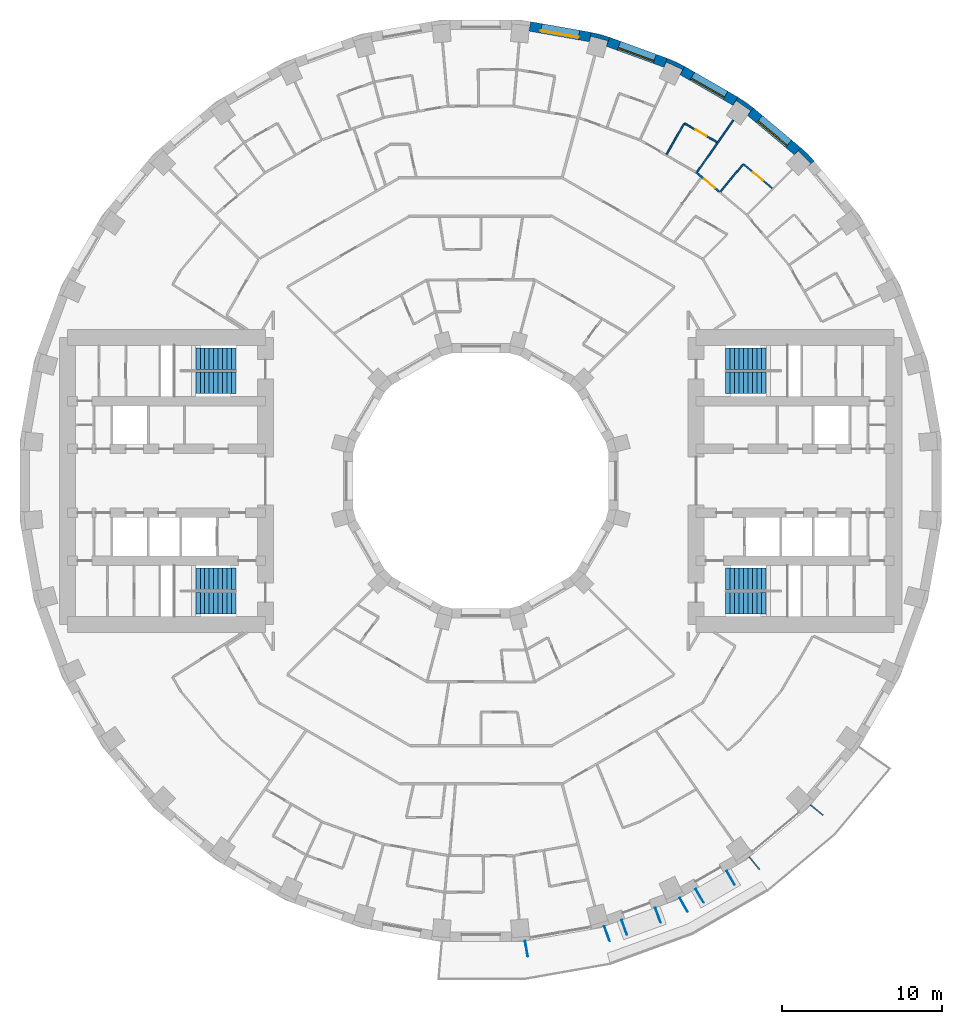
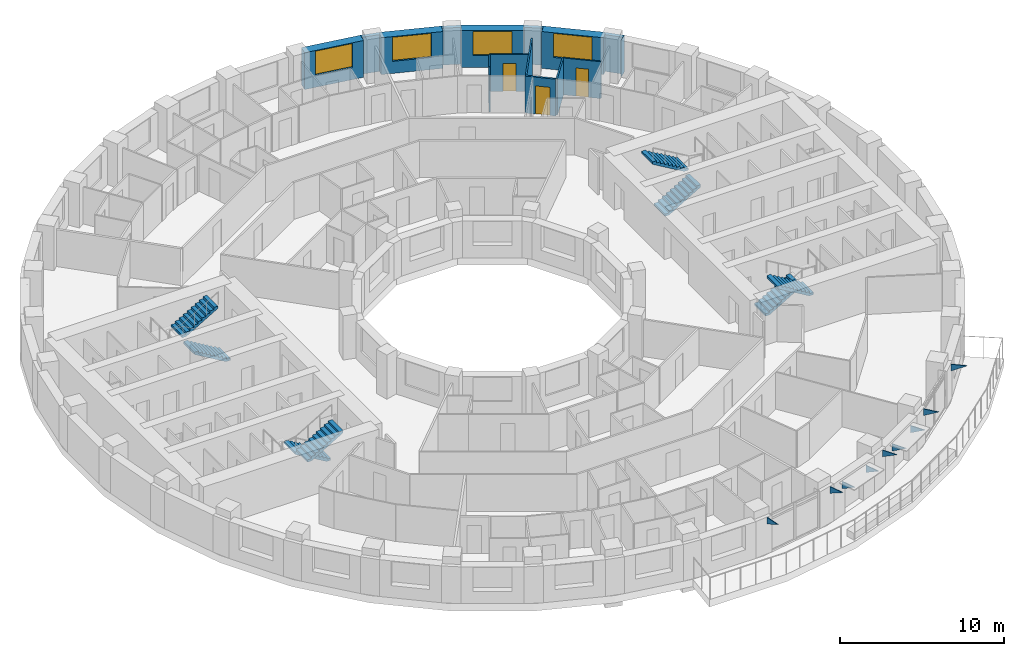
# One storey, part 15 of 16: 14 walls, 9 discrete accessories, 8 stair flights, 4 windows, 3 doors, 7 openings, 4 elements without a shape of their own.
"""IFC4 building model written with IfcOpenShell, lengths in metres."""

from ifc_helpers import new_model, si_unit, direction, frame, frame_2d, origin, place, context, subcontext, project, spatial, polyline, rectangle, outline, extrude, material, layer, layer_set, type_object, element, fill, aggregate, save


model = new_model("IFC4")

# Units and contexts
model_context = context("Model", 3, precision=1e-05, world=origin(), true_north=direction((0.0, 1.0)))
body_context = subcontext(model_context, "Body", "Model", "MODEL_VIEW")
ifc_project = project(units=[si_unit("LENGTHUNIT", "METRE"), si_unit("AREAUNIT", "SQUARE_METRE"), si_unit("VOLUMEUNIT", "CUBIC_METRE"), si_unit("PLANEANGLEUNIT", "RADIAN"), si_unit("MASSUNIT", "GRAM", prefix="KILO")], contexts=[model_context])

# Site, building, storey
site_placement = place(None, origin())
site = spatial("IfcSite", under=ifc_project, at=site_placement, CompositionType="ELEMENT")
building_placement = place(site_placement, origin())
building = spatial("IfcBuilding", under=site, at=building_placement, Name="Saqina Gate Tower", CompositionType="ELEMENT")
storey_placement = place(building_placement, frame((0.0, 0.0, 26.300048828125)))
storey = spatial("IfcBuildingStorey", under=building, at=storey_placement, Name="L06", CompositionType="ELEMENT", Elevation=26.300048828125)

# Walls
ifc_material_1 = material(Name="Brick masonry (red)", Category="masonry")
wall_type_1 = type_object("IfcWallType", Name="BRICK PIER COPING RED", PredefinedType="SOLIDWALL", material=ifc_material_1)
wall_1_placement = place(storey_placement, origin())
element("IfcWall", 1, at=wall_1_placement, inside=storey, type_object=wall_type_1, Name="Pier cap L06 column 5", PredefinedType="SOLIDWALL", context=body_context, shape_type="SweptSolid", body=[
    extrude(outline(polyline([(20.04296875, 20.894775390625), (19.6572265625, 20.43505859375), (19.905029296875, 20.682861328125), (20.682861328125, 19.905029296875), (20.43505859375, 19.6572265625), (20.894775390625, 20.04296875), (20.04296875, 20.894775390625)])), origin(), (0.0, 0.0, 1.0), 2.75),
])
wall_2_placement = place(storey_placement, origin())
element("IfcWall", 2, at=wall_2_placement, inside=storey, type_object=wall_type_1, Name="Pier cap L06 column 6", PredefinedType="SOLIDWALL", context=body_context, shape_type="SweptSolid", body=[
    extrude(outline(polyline([(17.096923828125, 23.36669921875), (16.110107421875, 24.0576171875), (15.81005859375, 23.5380859375), (16.010986328125, 23.8251953125), (16.912109375, 23.194091796875), (16.711181640625, 22.9072265625), (17.096923828125, 23.36669921875)])), origin(), (0.0, 0.0, 1.0), 2.75),
])
wall_3_placement = place(storey_placement, origin())
element("IfcWall", 3, at=wall_3_placement, inside=storey, type_object=wall_type_1, Name="Pier cap L06 column 7", PredefinedType="SOLIDWALL", context=body_context, shape_type="SweptSolid", body=[
    extrude(outline(polyline([(11.687744140625, 26.48974609375), (11.482666015625, 25.92578125), (11.630615234375, 26.243408203125), (12.627685546875, 25.778564453125), (12.4794921875, 25.4609375), (12.779541015625, 25.980712890625), (11.687744140625, 26.48974609375)])), origin(), (0.0, 0.0, 1.0), 2.75),
])
wall_4_placement = place(storey_placement, origin())
element("IfcWall", 4, at=wall_4_placement, inside=storey, type_object=wall_type_1, Name="Pier cap L06 column 8", PredefinedType="SOLIDWALL", context=body_context, shape_type="SweptSolid", body=[
    extrude(outline(polyline([(6.910400390625, 28.11669921875), (6.80615234375, 27.52587890625), (6.896728515625, 27.864501953125), (7.95947265625, 27.57958984375), (7.86865234375, 27.2412109375), (8.073974609375, 27.80517578125), (6.910400390625, 28.11669921875)])), origin(), (0.0, 0.0, 1.0), 2.75),
])

# Wall, opening, window
ifc_material_2 = material(Name="Brick masonry (red)", Category="masonry")
ifc_layer_1 = layer(ifc_material_2, 0.60009765625)
ifc_layer_set_1 = layer_set([ifc_layer_1], Name="FW-BRICK-RED")
wall_type_2 = type_object("IfcWallType", Name="FW-BRICK-RED", PredefinedType="SOLIDWALL", material=ifc_layer_set_1)
wall_5_placement = place(storey_placement, frame((19.85009765625, 20.664794921875, 0.0), z_axis=(0.0, 0.0, 1.0), x_axis=(-0.766026164483, 0.642809392687, 0.0)))
wall_5 = element("IfcWall", 5, at=wall_5_placement, inside=storey, type_object=wall_type_2, Name="Facade wall L06 facet 5", PredefinedType="SOLIDWALL", context=body_context, shape_type="SweptSolid", body=[
    extrude(rectangle(XDim=3.845947265625, YDim=0.60009765625, at=frame_2d((1.9228515625, 0.0))), origin(), (0.0, 0.0, 1.0), 2.75),
])
opening_1_placement = place(wall_5_placement, frame((0.722900390625, 0.0, 0.89990234375)))
opening_1 = element("IfcOpeningElement", 6, at=opening_1_placement, cuts=wall_5, Name="Opening G01-W03", PredefinedType="OPENING", context=body_context, shape_type="SweptSolid", body=[
    extrude(rectangle(XDim=2.39990234375, YDim=1.800048828125, at=frame_2d((1.199951171875, 0.89990234375))), frame((0.0, 0.31201171875, 0.0), z_axis=(0.0, -1.0, 0.0), x_axis=(1.0, 0.0, 0.0)), (0.0, 0.0, 1.0), 0.6240234375),
])
ifc_material_3 = material(Name="Aluminium glazing", Category="aluminium")
window_type = type_object("IfcWindowType", Name="WN-A", PartitioningType="SINGLE_PANEL", PredefinedType="WINDOW", material=ifc_material_3)
window_1_placement = place(opening_1_placement, origin())
window_1 = element("IfcWindow", 7, at=window_1_placement, inside=storey, type_object=window_type, Name="Window L06 facet 5", OverallHeight=1.800048828125, OverallWidth=2.39990234375, PartitioningType="SINGLE_PANEL", PredefinedType="WINDOW", context=body_context, shape_type="SweptSolid", body=[
    extrude(rectangle(XDim=2.39990234375, YDim=1.800048828125, at=frame_2d((1.199951171875, 0.89990234375))), frame((0.0, 0.179931640625, 0.0), z_axis=(0.0, -1.0, 0.0), x_axis=(1.0, 0.0, 0.0)), (0.0, 0.0, 1.0), 0.06005859375),
])
fill(opening_1, window_1)

wall_6_placement = place(storey_placement, frame((15.960205078125, 23.7978515625, 0.0), z_axis=(0.0, 0.0, 1.0), x_axis=(-0.86603124159, 0.499989888488, 0.0)))
wall_6 = element("IfcWall", 8, at=wall_6_placement, inside=storey, type_object=wall_type_2, Name="Facade wall L06 facet 6", PredefinedType="SOLIDWALL", context=body_context, shape_type="SweptSolid", body=[
    extrude(rectangle(XDim=3.845703125, YDim=0.60009765625, at=frame_2d((1.9228515625, 0.0))), origin(), (0.0, 0.0, 1.0), 2.75),
])
opening_2_placement = place(wall_6_placement, frame((0.722900390625, 0.0, 0.89990234375)))
opening_2 = element("IfcOpeningElement", 9, at=opening_2_placement, cuts=wall_6, Name="Opening G01-W04", PredefinedType="OPENING", context=body_context, shape_type="SweptSolid", body=[
    extrude(rectangle(XDim=2.39990234375, YDim=1.800048828125, at=frame_2d((1.199951171875, 0.89990234375))), frame((0.0, 0.31201171875, 0.0), z_axis=(0.0, -1.0, 0.0), x_axis=(1.0, 0.0, 0.0)), (0.0, 0.0, 1.0), 0.6240234375),
])
window_2_placement = place(opening_2_placement, origin())
window_2 = element("IfcWindow", 10, at=window_2_placement, inside=storey, type_object=window_type, Name="Window L06 facet 6", OverallHeight=1.800048828125, OverallWidth=2.39990234375, PartitioningType="SINGLE_PANEL", PredefinedType="WINDOW", context=body_context, shape_type="SweptSolid", body=[
    extrude(rectangle(XDim=2.39990234375, YDim=1.800048828125, at=frame_2d((1.199951171875, 0.89990234375))), frame((0.0, 0.179931640625, 0.0), z_axis=(0.0, -1.0, 0.0), x_axis=(1.0, 0.0, 0.0)), (0.0, 0.0, 1.0), 0.06005859375),
])
fill(opening_2, window_2)

wall_7_placement = place(storey_placement, frame((11.585205078125, 26.207763671875, 0.0), z_axis=(0.0, 0.0, 1.0), x_axis=(-0.939689588564, 0.342028474173, 0.0)))
wall_7 = element("IfcWall", 11, at=wall_7_placement, inside=storey, type_object=wall_type_2, Name="Facade wall L06 facet 7", PredefinedType="SOLIDWALL", context=body_context, shape_type="SweptSolid", body=[
    extrude(rectangle(XDim=3.845947265625, YDim=0.60009765625, at=frame_2d((1.9228515625, 0.0))), origin(), (0.0, 0.0, 1.0), 2.75),
])
opening_3_placement = place(wall_7_placement, frame((0.722900390625, 0.0, 0.89990234375)))
opening_3 = element("IfcOpeningElement", 12, at=opening_3_placement, cuts=wall_7, Name="Opening G01-W05", PredefinedType="OPENING", context=body_context, shape_type="SweptSolid", body=[
    extrude(rectangle(XDim=2.39990234375, YDim=1.800048828125, at=frame_2d((1.199951171875, 0.89990234375))), frame((0.0, 0.31201171875, 0.0), z_axis=(0.0, -1.0, 0.0), x_axis=(1.0, 0.0, 0.0)), (0.0, 0.0, 1.0), 0.6240234375),
])
window_3_placement = place(opening_3_placement, origin())
window_3 = element("IfcWindow", 13, at=window_3_placement, inside=storey, type_object=window_type, Name="Window L06 facet 7", OverallHeight=1.800048828125, OverallWidth=2.39990234375, PartitioningType="SINGLE_PANEL", PredefinedType="WINDOW", context=body_context, shape_type="SweptSolid", body=[
    extrude(rectangle(XDim=2.39990234375, YDim=1.800048828125, at=frame_2d((1.199951171875, 0.89990234375))), frame((0.0, 0.179931640625, 0.0), z_axis=(0.0, -1.0, 0.0), x_axis=(1.0, 0.0, 0.0)), (0.0, 0.0, 1.0), 0.06005859375),
])
fill(opening_3, window_3)

wall_8_placement = place(storey_placement, frame((6.858154296875, 27.8212890625, 0.0), z_axis=(0.0, 0.0, 1.0), x_axis=(-0.984800809218, 0.173687553279, 0.0)))
wall_8 = element("IfcWall", 14, at=wall_8_placement, inside=storey, type_object=wall_type_2, Name="Facade wall L06 facet 8", PredefinedType="SOLIDWALL", context=body_context, shape_type="SweptSolid", body=[
    extrude(rectangle(XDim=3.845703125, YDim=0.60009765625, at=frame_2d((1.9228515625, 0.0))), origin(), (0.0, 0.0, 1.0), 2.75),
])
opening_4_placement = place(wall_8_placement, frame((0.722900390625, 0.0, 0.89990234375)))
opening_4 = element("IfcOpeningElement", 15, at=opening_4_placement, cuts=wall_8, Name="Opening G01-W06", PredefinedType="OPENING", context=body_context, shape_type="SweptSolid", body=[
    extrude(rectangle(XDim=2.39990234375, YDim=1.800048828125, at=frame_2d((1.199951171875, 0.89990234375))), frame((0.0, 0.31201171875, 0.0), z_axis=(0.0, -1.0, 0.0), x_axis=(1.0, 0.0, 0.0)), (0.0, 0.0, 1.0), 0.6240234375),
])
window_4_placement = place(opening_4_placement, origin())
window_4 = element("IfcWindow", 16, at=window_4_placement, inside=storey, type_object=window_type, Name="Window L06 facet 8", OverallHeight=1.800048828125, OverallWidth=2.39990234375, PartitioningType="SINGLE_PANEL", PredefinedType="WINDOW", context=body_context, shape_type="SweptSolid", body=[
    extrude(rectangle(XDim=2.39990234375, YDim=1.800048828125, at=frame_2d((1.199951171875, 0.89990234375))), frame((0.0, 0.179931640625, 0.0), z_axis=(0.0, -1.0, 0.0), x_axis=(1.0, 0.0, 0.0)), (0.0, 0.0, 1.0), 0.06005859375),
])
fill(opening_4, window_4)

# Wall, opening, door
ifc_material_4 = material(Name="Gypsum board on steel studs, 100 mm", Category="steel")
ifc_layer_2 = layer(ifc_material_4, 0.10009765625)
ifc_layer_set_2 = layer_set([ifc_layer_2], Name="PARTITION 100")
wall_type_3 = type_object("IfcWallType", Name="PARTITION 100", PredefinedType="PARTITIONING", material=ifc_layer_set_2)
wall_9_placement = place(storey_placement, frame((16.450927734375, 19.862060546875, 0.0), z_axis=(0.0, 0.0, 1.0), x_axis=(0.766132669123, -0.642682451373, 0.0)))
wall_9 = element("IfcWall", 17, at=wall_9_placement, inside=storey, type_object=wall_type_3, Name="PARTITION PW3-35", PredefinedType="PARTITIONING", context=body_context, shape_type="SweptSolid", body=[
    extrude(rectangle(XDim=2.37109375, YDim=0.10009765625, at=frame_2d((1.185546875, 0.0))), origin(), (0.0, 0.0, 1.0), 2.75),
])
opening_5_placement = place(wall_9_placement, frame((0.810546875, 0.0, 0.0)))
opening_5 = element("IfcOpeningElement", 18, at=opening_5_placement, cuts=wall_9, Name="Opening G01-D05", PredefinedType="OPENING", context=body_context, shape_type="SweptSolid", body=[
    extrude(rectangle(XDim=0.800048828125, YDim=2.10009765625, at=frame_2d((0.39990234375, 1.050048828125))), frame((0.0, 0.06201171875, 0.0), z_axis=(0.0, -1.0, 0.0), x_axis=(1.0, 0.0, 0.0)), (0.0, 0.0, 1.0), 0.1240234375),
])
ifc_material_5 = material(Name="Timber door leaf, 800 mm", Category="wood")
door_type_1 = type_object("IfcDoorType", Name="DOOR 800 TIMBER", OperationType="SINGLE_SWING_LEFT", PredefinedType="DOOR", material=ifc_material_5)
door_1_placement = place(opening_5_placement, origin())
door_1 = element("IfcDoor", 19, at=door_1_placement, inside=storey, type_object=door_type_1, Name="DOOR G01-D05", OperationType="SINGLE_SWING_RIGHT", OverallHeight=2.10009765625, OverallWidth=0.800048828125, PredefinedType="DOOR", context=body_context, shape_type="SweptSolid", body=[
    extrude(rectangle(XDim=0.800048828125, YDim=2.10009765625, at=frame_2d((0.39990234375, 1.050048828125))), frame((0.0, 0.02490234375, 0.0), z_axis=(0.0, -1.0, 0.0), x_axis=(1.0, 0.0, 0.0)), (0.0, 0.0, 1.0), 0.050048828125),
])
fill(opening_5, door_1)

wall_10_placement = place(storey_placement, frame((12.751953125, 22.4169921875, 0.0), z_axis=(0.0, 0.0, 1.0), x_axis=(0.865984969814, -0.500070027153, 0.0)))
wall_10 = element("IfcWall", 20, at=wall_10_placement, inside=storey, type_object=wall_type_3, Name="PARTITION PW3-45", PredefinedType="PARTITIONING", context=body_context, shape_type="SweptSolid", body=[
    extrude(rectangle(XDim=2.371337890625, YDim=0.10009765625, at=frame_2d((1.185546875, 0.0))), origin(), (0.0, 0.0, 1.0), 2.75),
])
opening_6_placement = place(wall_10_placement, frame((0.810791015625, 0.0, 0.0)))
opening_6 = element("IfcOpeningElement", 21, at=opening_6_placement, cuts=wall_10, Name="Opening G01-D10", PredefinedType="OPENING", context=body_context, shape_type="SweptSolid", body=[
    extrude(rectangle(XDim=0.800048828125, YDim=2.10009765625, at=frame_2d((0.39990234375, 1.050048828125))), frame((0.0, 0.06201171875, 0.0), z_axis=(0.0, -1.0, 0.0), x_axis=(1.0, 0.0, 0.0)), (0.0, 0.0, 1.0), 0.1240234375),
])
door_2_placement = place(opening_6_placement, origin())
door_2 = element("IfcDoor", 22, at=door_2_placement, inside=storey, type_object=door_type_1, Name="DOOR G01-D10", OperationType="SINGLE_SWING_RIGHT", OverallHeight=2.10009765625, OverallWidth=0.800048828125, PredefinedType="DOOR", context=body_context, shape_type="SweptSolid", body=[
    extrude(rectangle(XDim=0.800048828125, YDim=2.10009765625, at=frame_2d((0.39990234375, 1.050048828125))), frame((0.0, 0.02490234375, 0.0), z_axis=(0.0, -1.0, 0.0), x_axis=(1.0, 0.0, 0.0)), (0.0, 0.0, 1.0), 0.050048828125),
])
fill(opening_6, door_2)

# Walls
wall_11_placement = place(storey_placement, frame((15.015869140625, 18.12939453125, 0.0), z_axis=(0.0, 0.0, 1.0), x_axis=(0.63792197303, 0.770101003976, 0.0)))
element("IfcWall", 23, at=wall_11_placement, inside=storey, type_object=wall_type_3, Name="PARTITION PW3-94", PredefinedType="PARTITIONING", context=body_context, shape_type="SweptSolid", body=[
    extrude(rectangle(XDim=2.199951171875, YDim=0.10009765625, at=frame_2d((1.10009765625, 0.0))), origin(), (0.0, 0.0, 1.0), 2.75),
])
wall_12_placement = place(storey_placement, frame((13.561279296875, 19.365966796875, 0.0), z_axis=(0.0, 0.0, 1.0), x_axis=(0.573366885016, 0.819298733776, 0.0)))
element("IfcWall", 24, at=wall_12_placement, inside=storey, type_object=wall_type_3, Name="PARTITION PW3-99", PredefinedType="PARTITIONING", context=body_context, shape_type="SweptSolid", body=[
    extrude(rectangle(XDim=3.947998046875, YDim=0.10009765625, at=frame_2d((1.97412109375, 0.0))), origin(), (0.0, 0.0, 1.0), 2.75),
])
wall_13_placement = place(storey_placement, frame((11.64599609375, 20.472412109375, 0.0), z_axis=(0.0, 0.0, 1.0), x_axis=(0.494394843989, 0.869237446408, 0.0)))
element("IfcWall", 25, at=wall_13_placement, inside=storey, type_object=wall_type_3, Name="PARTITION PW3-103", PredefinedType="PARTITIONING", context=body_context, shape_type="SweptSolid", body=[
    extrude(rectangle(XDim=2.18701171875, YDim=0.10009765625, at=frame_2d((1.093505859375, 0.0))), origin(), (0.0, 0.0, 1.0), 2.75),
])

# Wall, opening, door
ifc_material_6 = material(Name="Gypsum board on steel studs, 125 mm, fire rated", Category="steel")
ifc_layer_3 = layer(ifc_material_6, 0.125)
ifc_layer_set_3 = layer_set([ifc_layer_3], Name="PARTITION EI 30 125")
wall_type_4 = type_object("IfcWallType", Name="PARTITION EI 30 125", PredefinedType="PARTITIONING", material=ifc_layer_set_3)
wall_14_placement = place(storey_placement, frame((13.476318359375, 19.355712890625, 0.0), z_axis=(0.0, 0.0, 1.0), x_axis=(0.76614099915, -0.642672521135, 0.0)))
wall_14 = element("IfcWall", 26, at=wall_14_placement, inside=storey, type_object=wall_type_4, Name="PARTITION PW1-10", PredefinedType="PARTITIONING", context=body_context, shape_type="SweptSolid", body=[
    extrude(rectangle(XDim=1.91796875, YDim=0.125, at=frame_2d((0.958984375, 0.0))), origin(), (0.0, 0.0, 1.0), 2.75),
])
opening_7_placement = place(wall_14_placement, frame((0.665771484375, 0.0, 0.0)))
opening_7 = element("IfcOpeningElement", 27, at=opening_7_placement, cuts=wall_14, Name="Opening G01-D07", PredefinedType="OPENING", context=body_context, shape_type="SweptSolid", body=[
    extrude(rectangle(XDim=0.89990234375, YDim=2.10009765625, at=frame_2d((0.449951171875, 1.050048828125))), frame((0.0, 0.074462890625, 0.0), z_axis=(0.0, -1.0, 0.0), x_axis=(1.0, 0.0, 0.0)), (0.0, 0.0, 1.0), 0.14892578125),
])
ifc_material_7 = material(Name="Fire door leaf EI 30, 900 mm")
door_type_2 = type_object("IfcDoorType", Name="DOOR 900 EI 30", OperationType="SINGLE_SWING_LEFT", PredefinedType="DOOR", material=ifc_material_7)
door_3_placement = place(opening_7_placement, frame((0.89990234375, 0.0, 0.0), z_axis=(0.0, 0.0, 1.0), x_axis=(-1.0, 0.0, 0.0)))
door_3 = element("IfcDoor", 28, at=door_3_placement, inside=storey, type_object=door_type_2, Name="DOOR G01-D07", OperationType="SINGLE_SWING_RIGHT", OverallHeight=2.10009765625, OverallWidth=0.89990234375, PredefinedType="DOOR", context=body_context, shape_type="SweptSolid", body=[
    extrude(rectangle(XDim=0.89990234375, YDim=2.10009765625, at=frame_2d((0.449951171875, 1.050048828125))), frame((0.0, 0.02490234375, 0.0), z_axis=(0.0, -1.0, 0.0), x_axis=(1.0, 0.0, 0.0)), (0.0, 0.0, 1.0), 0.050048828125),
])
fill(opening_7, door_3)

# Stair, stair flights
ifc_material_8 = material(Name="Concrete C40/50", Category="concrete")
stair_type = type_object("IfcStairType", Name="EXIT STAIR", PredefinedType="HALF_TURN_STAIR", material=ifc_material_8)
stair_1_placement = place(storey_placement, origin())
stair_1 = element("IfcStair", 29, at=stair_1_placement, inside=storey, type_object=stair_type, Name="EXIT STAIR 1", PredefinedType="HALF_TURN_STAIR")
ifc_material_9 = material(Name="Concrete C40/50", Category="concrete")
stair_flight_type = type_object("IfcStairFlightType", Name="EXIT STAIR FLIGHT", PredefinedType="STRAIGHT", material=ifc_material_9)
stair_flight_1_placement = place(storey_placement, frame((15.35009765625, 6.1416015625, 0.0), z_axis=(0.0, 0.0, 1.0), x_axis=(1.0, 0.0, 0.0)))
stair_flight_1 = element("IfcStairFlight", 30, at=stair_flight_1_placement, type_object=stair_flight_type, Name="EXIT STAIR 1 FLIGHT 1", NumberOfRisers=10, NumberOfTreads=9, PredefinedType="STRAIGHT", RiserHeight=0.165, TreadLength=0.28, context=body_context, shape_type="SweptSolid", body=[
    extrude(outline(polyline([(0.0, 0.0), (0.0, 0.1650390625), (0.280029296875, 0.1650390625), (0.280029296875, 0.330078125), (0.56005859375, 0.330078125), (0.56005859375, 0.4951171875), (0.840087890625, 0.4951171875), (0.840087890625, 0.659912109375), (1.1201171875, 0.659912109375), (1.1201171875, 0.824951171875), (1.39990234375, 0.824951171875), (1.39990234375, 0.989990234375), (1.679931640625, 0.989990234375), (1.679931640625, 1.155029296875), (1.9599609375, 1.155029296875), (1.9599609375, 1.320068359375), (2.239990234375, 1.320068359375), (2.239990234375, 1.485107421875), (2.52001953125, 1.485107421875), (2.52001953125, 1.64990234375), (2.52001953125, 1.31103515625), (0.295166015625, 0.0), (0.0, 0.0)])), frame((0.0, 0.675048828125, 0.0), z_axis=(0.0, -1.0, 0.0), x_axis=(1.0, 0.0, 0.0)), (0.0, 0.0, 1.0), 1.35009765625),
])
stair_flight_2_placement = place(storey_placement, frame((17.8701171875, 7.658447265625, 1.64990234375), z_axis=(0.0, 0.0, 1.0), x_axis=(-1.0, 0.0, 0.0)))
stair_flight_2 = element("IfcStairFlight", 31, at=stair_flight_2_placement, type_object=stair_flight_type, Name="EXIT STAIR 1 FLIGHT 2", NumberOfRisers=10, NumberOfTreads=9, PredefinedType="STRAIGHT", RiserHeight=0.165, TreadLength=0.28, context=body_context, shape_type="SweptSolid", body=[
    extrude(outline(polyline([(0.0, 0.0), (0.0, 0.1650390625), (0.280029296875, 0.1650390625), (0.280029296875, 0.330078125), (0.56005859375, 0.330078125), (0.56005859375, 0.4951171875), (0.840087890625, 0.4951171875), (0.840087890625, 0.659912109375), (1.1201171875, 0.659912109375), (1.1201171875, 0.824951171875), (1.39990234375, 0.824951171875), (1.39990234375, 0.989990234375), (1.679931640625, 0.989990234375), (1.679931640625, 1.155029296875), (1.9599609375, 1.155029296875), (1.9599609375, 1.320068359375), (2.239990234375, 1.320068359375), (2.239990234375, 1.485107421875), (2.52001953125, 1.485107421875), (2.52001953125, 1.64990234375), (2.52001953125, 1.31103515625), (0.295166015625, 0.0), (0.0, 0.0)])), frame((0.0, 0.675048828125, 0.0), z_axis=(0.0, -1.0, 0.0), x_axis=(1.0, 0.0, 0.0)), (0.0, 0.0, 1.0), 1.35009765625),
])
aggregate(stair_1, [stair_flight_1, stair_flight_2])

stair_2_placement = place(storey_placement, origin())
stair_2 = element("IfcStair", 32, at=stair_2_placement, inside=storey, type_object=stair_type, Name="EXIT STAIR 2", PredefinedType="HALF_TURN_STAIR")
stair_flight_3_placement = place(storey_placement, frame((15.35009765625, -6.1416015625, 0.0), z_axis=(0.0, 0.0, 1.0), x_axis=(1.0, 0.0, 0.0)))
stair_flight_3 = element("IfcStairFlight", 33, at=stair_flight_3_placement, type_object=stair_flight_type, Name="EXIT STAIR 2 FLIGHT 1", NumberOfRisers=10, NumberOfTreads=9, PredefinedType="STRAIGHT", RiserHeight=0.165, TreadLength=0.28, context=body_context, shape_type="SweptSolid", body=[
    extrude(outline(polyline([(0.0, 0.0), (0.0, 0.1650390625), (0.280029296875, 0.1650390625), (0.280029296875, 0.330078125), (0.56005859375, 0.330078125), (0.56005859375, 0.4951171875), (0.840087890625, 0.4951171875), (0.840087890625, 0.659912109375), (1.1201171875, 0.659912109375), (1.1201171875, 0.824951171875), (1.39990234375, 0.824951171875), (1.39990234375, 0.989990234375), (1.679931640625, 0.989990234375), (1.679931640625, 1.155029296875), (1.9599609375, 1.155029296875), (1.9599609375, 1.320068359375), (2.239990234375, 1.320068359375), (2.239990234375, 1.485107421875), (2.52001953125, 1.485107421875), (2.52001953125, 1.64990234375), (2.52001953125, 1.31103515625), (0.295166015625, 0.0), (0.0, 0.0)])), frame((0.0, 0.675048828125, 0.0), z_axis=(0.0, -1.0, 0.0), x_axis=(1.0, 0.0, 0.0)), (0.0, 0.0, 1.0), 1.35009765625),
])
stair_flight_4_placement = place(storey_placement, frame((17.8701171875, -7.658447265625, 1.64990234375), z_axis=(0.0, 0.0, 1.0), x_axis=(-1.0, 0.0, 0.0)))
stair_flight_4 = element("IfcStairFlight", 34, at=stair_flight_4_placement, type_object=stair_flight_type, Name="EXIT STAIR 2 FLIGHT 2", NumberOfRisers=10, NumberOfTreads=9, PredefinedType="STRAIGHT", RiserHeight=0.165, TreadLength=0.28, context=body_context, shape_type="SweptSolid", body=[
    extrude(outline(polyline([(0.0, 0.0), (0.0, 0.1650390625), (0.280029296875, 0.1650390625), (0.280029296875, 0.330078125), (0.56005859375, 0.330078125), (0.56005859375, 0.4951171875), (0.840087890625, 0.4951171875), (0.840087890625, 0.659912109375), (1.1201171875, 0.659912109375), (1.1201171875, 0.824951171875), (1.39990234375, 0.824951171875), (1.39990234375, 0.989990234375), (1.679931640625, 0.989990234375), (1.679931640625, 1.155029296875), (1.9599609375, 1.155029296875), (1.9599609375, 1.320068359375), (2.239990234375, 1.320068359375), (2.239990234375, 1.485107421875), (2.52001953125, 1.485107421875), (2.52001953125, 1.64990234375), (2.52001953125, 1.31103515625), (0.295166015625, 0.0), (0.0, 0.0)])), frame((0.0, 0.675048828125, 0.0), z_axis=(0.0, -1.0, 0.0), x_axis=(1.0, 0.0, 0.0)), (0.0, 0.0, 1.0), 1.35009765625),
])
aggregate(stair_2, [stair_flight_3, stair_flight_4])

stair_3_placement = place(storey_placement, origin())
stair_3 = element("IfcStair", 35, at=stair_3_placement, inside=storey, type_object=stair_type, Name="EXIT STAIR 3", PredefinedType="HALF_TURN_STAIR")
stair_flight_5_placement = place(storey_placement, frame((-15.35009765625, 6.1416015625, 0.0), z_axis=(0.0, 0.0, 1.0), x_axis=(-1.0, 0.0, 0.0)))
stair_flight_5 = element("IfcStairFlight", 36, at=stair_flight_5_placement, type_object=stair_flight_type, Name="EXIT STAIR 3 FLIGHT 1", NumberOfRisers=10, NumberOfTreads=9, PredefinedType="STRAIGHT", RiserHeight=0.165, TreadLength=0.28, context=body_context, shape_type="SweptSolid", body=[
    extrude(outline(polyline([(0.0, 0.0), (0.0, 0.1650390625), (0.280029296875, 0.1650390625), (0.280029296875, 0.330078125), (0.56005859375, 0.330078125), (0.56005859375, 0.4951171875), (0.840087890625, 0.4951171875), (0.840087890625, 0.659912109375), (1.1201171875, 0.659912109375), (1.1201171875, 0.824951171875), (1.39990234375, 0.824951171875), (1.39990234375, 0.989990234375), (1.679931640625, 0.989990234375), (1.679931640625, 1.155029296875), (1.9599609375, 1.155029296875), (1.9599609375, 1.320068359375), (2.239990234375, 1.320068359375), (2.239990234375, 1.485107421875), (2.52001953125, 1.485107421875), (2.52001953125, 1.64990234375), (2.52001953125, 1.31103515625), (0.295166015625, 0.0), (0.0, 0.0)])), frame((0.0, 0.675048828125, 0.0), z_axis=(0.0, -1.0, 0.0), x_axis=(1.0, 0.0, 0.0)), (0.0, 0.0, 1.0), 1.35009765625),
])
stair_flight_6_placement = place(storey_placement, frame((-17.8701171875, 7.658447265625, 1.64990234375), z_axis=(0.0, 0.0, 1.0), x_axis=(1.0, 0.0, 0.0)))
stair_flight_6 = element("IfcStairFlight", 37, at=stair_flight_6_placement, type_object=stair_flight_type, Name="EXIT STAIR 3 FLIGHT 2", NumberOfRisers=10, NumberOfTreads=9, PredefinedType="STRAIGHT", RiserHeight=0.165, TreadLength=0.28, context=body_context, shape_type="SweptSolid", body=[
    extrude(outline(polyline([(0.0, 0.0), (0.0, 0.1650390625), (0.280029296875, 0.1650390625), (0.280029296875, 0.330078125), (0.56005859375, 0.330078125), (0.56005859375, 0.4951171875), (0.840087890625, 0.4951171875), (0.840087890625, 0.659912109375), (1.1201171875, 0.659912109375), (1.1201171875, 0.824951171875), (1.39990234375, 0.824951171875), (1.39990234375, 0.989990234375), (1.679931640625, 0.989990234375), (1.679931640625, 1.155029296875), (1.9599609375, 1.155029296875), (1.9599609375, 1.320068359375), (2.239990234375, 1.320068359375), (2.239990234375, 1.485107421875), (2.52001953125, 1.485107421875), (2.52001953125, 1.64990234375), (2.52001953125, 1.31103515625), (0.295166015625, 0.0), (0.0, 0.0)])), frame((0.0, 0.675048828125, 0.0), z_axis=(0.0, -1.0, 0.0), x_axis=(1.0, 0.0, 0.0)), (0.0, 0.0, 1.0), 1.35009765625),
])
aggregate(stair_3, [stair_flight_5, stair_flight_6])

stair_4_placement = place(storey_placement, origin())
stair_4 = element("IfcStair", 38, at=stair_4_placement, inside=storey, type_object=stair_type, Name="EXIT STAIR 4", PredefinedType="HALF_TURN_STAIR")
stair_flight_7_placement = place(storey_placement, frame((-15.35009765625, -6.1416015625, 0.0), z_axis=(0.0, 0.0, 1.0), x_axis=(-1.0, 0.0, 0.0)))
stair_flight_7 = element("IfcStairFlight", 39, at=stair_flight_7_placement, type_object=stair_flight_type, Name="EXIT STAIR 4 FLIGHT 1", NumberOfRisers=10, NumberOfTreads=9, PredefinedType="STRAIGHT", RiserHeight=0.165, TreadLength=0.28, context=body_context, shape_type="SweptSolid", body=[
    extrude(outline(polyline([(0.0, 0.0), (0.0, 0.1650390625), (0.280029296875, 0.1650390625), (0.280029296875, 0.330078125), (0.56005859375, 0.330078125), (0.56005859375, 0.4951171875), (0.840087890625, 0.4951171875), (0.840087890625, 0.659912109375), (1.1201171875, 0.659912109375), (1.1201171875, 0.824951171875), (1.39990234375, 0.824951171875), (1.39990234375, 0.989990234375), (1.679931640625, 0.989990234375), (1.679931640625, 1.155029296875), (1.9599609375, 1.155029296875), (1.9599609375, 1.320068359375), (2.239990234375, 1.320068359375), (2.239990234375, 1.485107421875), (2.52001953125, 1.485107421875), (2.52001953125, 1.64990234375), (2.52001953125, 1.31103515625), (0.295166015625, 0.0), (0.0, 0.0)])), frame((0.0, 0.675048828125, 0.0), z_axis=(0.0, -1.0, 0.0), x_axis=(1.0, 0.0, 0.0)), (0.0, 0.0, 1.0), 1.35009765625),
])
stair_flight_8_placement = place(storey_placement, frame((-17.8701171875, -7.658447265625, 1.64990234375), z_axis=(0.0, 0.0, 1.0), x_axis=(1.0, 0.0, 0.0)))
stair_flight_8 = element("IfcStairFlight", 40, at=stair_flight_8_placement, type_object=stair_flight_type, Name="EXIT STAIR 4 FLIGHT 2", NumberOfRisers=10, NumberOfTreads=9, PredefinedType="STRAIGHT", RiserHeight=0.165, TreadLength=0.28, context=body_context, shape_type="SweptSolid", body=[
    extrude(outline(polyline([(0.0, 0.0), (0.0, 0.1650390625), (0.280029296875, 0.1650390625), (0.280029296875, 0.330078125), (0.56005859375, 0.330078125), (0.56005859375, 0.4951171875), (0.840087890625, 0.4951171875), (0.840087890625, 0.659912109375), (1.1201171875, 0.659912109375), (1.1201171875, 0.824951171875), (1.39990234375, 0.824951171875), (1.39990234375, 0.989990234375), (1.679931640625, 0.989990234375), (1.679931640625, 1.155029296875), (1.9599609375, 1.155029296875), (1.9599609375, 1.320068359375), (2.239990234375, 1.320068359375), (2.239990234375, 1.485107421875), (2.52001953125, 1.485107421875), (2.52001953125, 1.64990234375), (2.52001953125, 1.31103515625), (0.295166015625, 0.0), (0.0, 0.0)])), frame((0.0, 0.675048828125, 0.0), z_axis=(0.0, -1.0, 0.0), x_axis=(1.0, 0.0, 0.0)), (0.0, 0.0, 1.0), 1.35009765625),
])
aggregate(stair_4, [stair_flight_7, stair_flight_8])

# Discrete accessories
ifc_material_10 = material(Name="Galvanised steel", Category="steel")
ifc_layer_4 = layer(ifc_material_10, 0.050048828125)
ifc_layer_set_4 = layer_set([ifc_layer_4], Name="BR-AWNING")
discrete_accessory_type_1 = type_object("IfcDiscreteAccessoryType", Name="BR-AWNING", PredefinedType="BRACKET", material=ifc_layer_set_4)
for number, where, z_axis, x_axis, name in (
    (41, (8.84912109375, -27.52294921875, 1.974853515625), (0.939686455819, 0.342037080957, 0.0), (0.0, 0.0, 1.0), "Awning bracket L06 facet 29"),
    (42, (10.95947265625, -26.7548828125, 1.974853515625), (0.939686455819, 0.342037080957, 0.0), (0.0, 0.0, 1.0), "Awning bracket L06 facet 29"),
):
    element("IfcDiscreteAccessory", number, at=place(storey_placement, frame(where, z_axis=z_axis, x_axis=x_axis)), inside=storey, type_object=discrete_accessory_type_1, Name=name, PredefinedType="BRACKET", context=body_context, shape_type="SweptSolid", body=[
        extrude(outline(polyline([(0.0, 0.0), (0.550048828125, 0.0), (0.550048828125, 1.000011503630275), (0.0, 0.0)])), origin(), (0.0, 0.0, -1.0), 0.050048828125),
    ])
for number, where, z_axis, x_axis, name in (
    (43, (13.493896484375, -25.568115234375, 1.974853515625), (0.866010750942, 0.50002537861, 0.0), (0.0, 0.0, 1.0), "Awning bracket L06 facet 30"),
    (44, (15.43896484375, -24.4453125, 1.974853515625), (0.866010750942, 0.50002537861, 0.0), (0.0, 0.0, 1.0), "Awning bracket L06 facet 30"),
):
    element("IfcDiscreteAccessory", number, at=place(storey_placement, frame(where, z_axis=z_axis, x_axis=x_axis)), inside=storey, type_object=discrete_accessory_type_1, Name=name, PredefinedType="BRACKET", context=body_context, shape_type="SweptSolid", body=[
        extrude(outline(polyline([(0.0, 0.0), (0.550048828125, 0.0), (0.550048828125, 0.9999492453569568), (0.0, 0.0)])), origin(), (0.0, 0.0, -1.0), 0.050048828125),
    ])
ifc_material_11 = material(Name="Galvanised steel", Category="steel")
ifc_layer_5 = layer(ifc_material_11, 0.050048828125)
ifc_layer_set_5 = layer_set([ifc_layer_5], Name="BR-GUSSET")
discrete_accessory_type_2 = type_object("IfcDiscreteAccessoryType", Name="BR-GUSSET", PredefinedType="BRACKET", material=ifc_layer_set_5)
discrete_accessory_1_placement = place(storey_placement, frame((2.79833984375, -28.841796875, 2.25), z_axis=(0.984820401928, 0.173576426815, 0.0), x_axis=(0.0, 0.0, 1.0)))
element("IfcDiscreteAccessory", 45, at=discrete_accessory_1_placement, inside=storey, type_object=discrete_accessory_type_2, Name="Terrace slab bracket L07 1", PredefinedType="BRACKET", context=body_context, shape_type="SweptSolid", body=[
    extrude(outline(polyline([(0.0, 0.0), (0.5, 0.0), (0.5, 1.000043540245132), (0.0, 0.0)])), origin(), (0.0, 0.0, -1.0), 0.050048828125),
])
discrete_accessory_2_placement = place(storey_placement, frame((7.76416015625, -27.917724609375, 2.25), z_axis=(0.939686455819, 0.342037080957, 0.0), x_axis=(0.0, 0.0, 1.0)))
element("IfcDiscreteAccessory", 46, at=discrete_accessory_2_placement, inside=storey, type_object=discrete_accessory_type_2, Name="Terrace slab bracket L07 2", PredefinedType="BRACKET", context=body_context, shape_type="SweptSolid", body=[
    extrude(outline(polyline([(0.0, 0.0), (0.5, 0.0), (0.5, 1.000011503630275), (0.0, 0.0)])), origin(), (0.0, 0.0, -1.0), 0.050048828125),
])
discrete_accessory_3_placement = place(storey_placement, frame((12.494140625, -26.1455078125, 2.25), z_axis=(0.866010750942, 0.50002537861, 0.0), x_axis=(0.0, 0.0, 1.0)))
element("IfcDiscreteAccessory", 47, at=discrete_accessory_3_placement, inside=storey, type_object=discrete_accessory_type_2, Name="Terrace slab bracket L07 3", PredefinedType="BRACKET", context=body_context, shape_type="SweptSolid", body=[
    extrude(outline(polyline([(0.0, 0.0), (0.5, 0.0), (0.5, 0.9999492453569568), (0.0, 0.0)])), origin(), (0.0, 0.0, -1.0), 0.050048828125),
])
for number, where, z_axis, x_axis, name in (
    (48, (16.844482421875, -23.57861328125, 2.25), (0.766055819685, 0.64277405138, 0.0), (0.0, 0.0, 1.0), "Terrace slab bracket L07 4"),
    (49, (20.682861328125, -20.29541015625, 2.25), (0.64277405138, 0.766055819685, 0.0), (0.0, 0.0, 1.0), "Terrace slab bracket L07 5"),
):
    element("IfcDiscreteAccessory", number, at=place(storey_placement, frame(where, z_axis=z_axis, x_axis=x_axis)), inside=storey, type_object=discrete_accessory_type_2, Name=name, PredefinedType="BRACKET", context=body_context, shape_type="SweptSolid", body=[
        extrude(outline(polyline([(0.0, 0.0), (0.5, 0.0), (0.5, 1.0000750096322275), (0.0, 0.0)])), origin(), (0.0, 0.0, -1.0), 0.050048828125),
    ])

save(model, "model.ifc")
